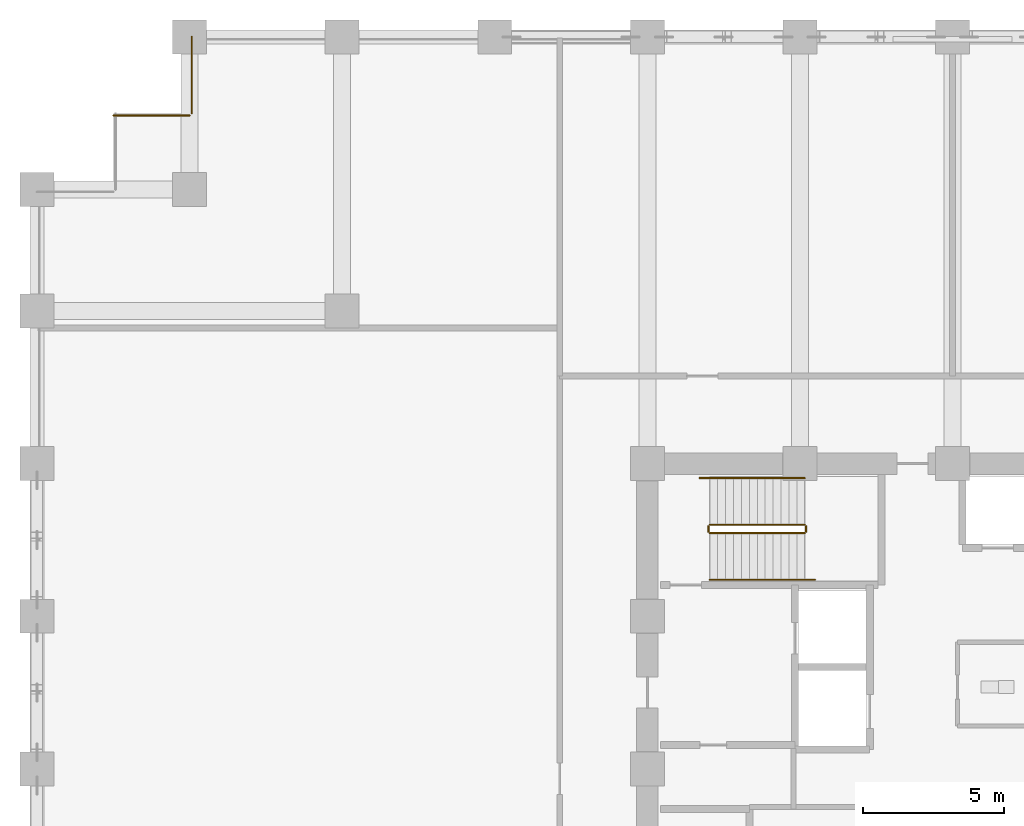
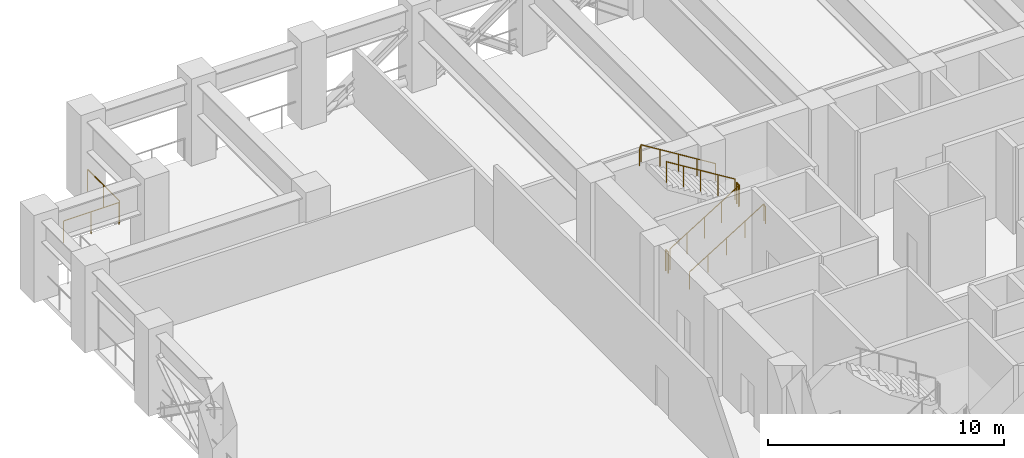
# One storey, part 10 of 12: 8 railings.
"""IFC4 building model written with IfcOpenShell, lengths in metres."""

from ifc_helpers import new_model, si_unit, direction, frame, origin, origin_2d, place, context, subcontext, project, spatial, circle, extrude, material, type_object, element, save


model = new_model("IFC4")

# Units and contexts
model_context = context("Model", 3, precision=1e-05, world=origin(), true_north=direction((0.0, 1.0)))
body_context = subcontext(model_context, "Body", "Model", "MODEL_VIEW")
ifc_project = project(units=[si_unit("LENGTHUNIT", "METRE"), si_unit("AREAUNIT", "SQUARE_METRE"), si_unit("VOLUMEUNIT", "CUBIC_METRE"), si_unit("PLANEANGLEUNIT", "RADIAN"), si_unit("MASSUNIT", "GRAM", prefix="KILO")], contexts=[model_context])

# Site, building, storey
site_placement = place(None, origin())
site = spatial("IfcSite", under=ifc_project, at=site_placement, CompositionType="ELEMENT")
building_placement = place(site_placement, origin())
building = spatial("IfcBuilding", under=site, at=building_placement, Name="Surkhivell Harbour Commons", CompositionType="ELEMENT")
storey_placement = place(building_placement, frame((0.0, 0.0, 78.75)))
storey = spatial("IfcBuildingStorey", under=building, at=storey_placement, Name="L20", CompositionType="ELEMENT", Elevation=78.75)

# Railings
ifc_material_1 = material(Name="Laminated safety glass and stainless steel S355 balustrade", Category="steel")
railing_type_1 = type_object("IfcRailingType", Name="RAL-BAL-1150", PredefinedType="BALUSTRADE", material=ifc_material_1)
railing_1_placement = place(storey_placement, frame((-26.919921875, 25.89990234375, 0.0)))
element("IfcRailing", 1, at=railing_1_placement, inside=storey, type_object=railing_type_1, Name="L20 Perimeter Safety Guard 09", PredefinedType="BALUSTRADE", context=body_context, shape_type="SweptSolid", body=[
    extrude(circle(Radius=0.02392578125, at=origin_2d()), frame((0.0, 0.0, 1.1259765625), z_axis=(0.0, -1.0, 0.0), x_axis=(1.0, 0.0, 0.0)), (0.0, 0.0, 1.0), 2.699951171875),
    extrude(circle(Radius=0.02099609375, at=origin_2d()), origin(), (0.0, 0.0, 1.0), 1.101806640625),
    extrude(circle(Radius=0.02099609375, at=origin_2d()), frame((0.0, -1.35009765625, 0.0)), (0.0, 0.0, 1.0), 1.101806640625),
    extrude(circle(Radius=0.02099609375, at=origin_2d()), frame((0.0, -2.699951171875, 0.0)), (0.0, 0.0, 1.0), 1.101806640625),
])
railing_2_placement = place(storey_placement, frame((-27.0, 23.1201171875, 0.0)))
element("IfcRailing", 2, at=railing_2_placement, inside=storey, type_object=railing_type_1, Name="L20 Perimeter Safety Guard 10", PredefinedType="BALUSTRADE", context=body_context, shape_type="SweptSolid", body=[
    extrude(circle(Radius=0.02392578125, at=origin_2d()), frame((0.0, 0.0, 1.1259765625), z_axis=(-1.0, 0.0, 0.0), x_axis=(0.0, -1.0, 0.0)), (0.0, 0.0, 1.0), 2.699951171875),
    extrude(circle(Radius=0.02099609375, at=origin_2d()), origin(), (0.0, 0.0, 1.0), 1.101806640625),
    extrude(circle(Radius=0.02099609375, at=origin_2d()), frame((-1.35009765625, 0.0, 0.0)), (0.0, 0.0, 1.0), 1.101806640625),
    extrude(circle(Radius=0.02099609375, at=origin_2d()), frame((-2.699951171875, 0.0, 0.0)), (0.0, 0.0, 1.0), 1.101806640625),
])
ifc_material_2 = material(Name="Galvanised and painted steel S355 guard rail", Category="steel")
railing_type_2 = type_object("IfcRailingType", Name="RAL-ST-GRD1100", PredefinedType="GUARDRAIL", material=ifc_material_2)
railing_3_placement = place(storey_placement, frame((-8.590087890625, 8.340087890625, 0.173095703125)))
element("IfcRailing", 3, at=railing_3_placement, inside=storey, type_object=railing_type_2, Name="L20 ST1 stair guard 1", PredefinedType="GUARDRAIL", context=body_context, shape_type="SweptSolid", body=[
    extrude(circle(Radius=0.02392578125, at=origin_2d()), frame((0.0, 0.0, 1.076171875), z_axis=(0.850623216509, 0.0, 0.525775754039), x_axis=(0.0, 1.0, 0.0)), (0.0, 0.0, 1.0), 3.9501953125),
    extrude(circle(Radius=0.02099609375, at=origin_2d()), origin(), (0.0, 0.0, 1.0), 1.052001953125),
    extrude(circle(Radius=0.02099609375, at=origin_2d()), frame((0.840087890625, 0.0, 0.519287109375)), (0.0, 0.0, 1.0), 1.052001953125),
    extrude(circle(Radius=0.02099609375, at=origin_2d()), frame((1.68017578125, 0.0, 1.03857421875)), (0.0, 0.0, 1.0), 1.052001953125),
    extrude(circle(Radius=0.02099609375, at=origin_2d()), frame((2.52001953125, 0.0, 1.5576171875)), (0.0, 0.0, 1.0), 1.052001953125),
    extrude(circle(Radius=0.02099609375, at=origin_2d()), frame((3.360107421875, 0.0, 2.076904296875)), (0.0, 0.0, 1.0), 1.052001953125),
])
railing_4_placement = place(storey_placement, frame((-5.179931640625, 8.389892578125, 2.25)))
element("IfcRailing", 4, at=railing_4_placement, inside=storey, type_object=railing_type_2, Name="L20 ST1 stair guard 2", PredefinedType="GUARDRAIL", context=body_context, shape_type="SweptSolid", body=[
    extrude(circle(Radius=0.02392578125, at=origin_2d()), frame((0.0, 0.0, 1.076171875), z_axis=(0.0, 1.0, 0.0), x_axis=(-1.0, 0.0, 0.0)), (0.0, 0.0, 1.0), 0.2001953125),
    extrude(circle(Radius=0.02099609375, at=origin_2d()), origin(), (0.0, 0.0, 1.0), 1.052001953125),
    extrude(circle(Radius=0.02099609375, at=origin_2d()), frame((0.0, 0.2001953125, 0.0)), (0.0, 0.0, 1.0), 1.052001953125),
])
railing_5_placement = place(storey_placement, frame((-5.22998046875, 8.639892578125, 2.423095703125)))
element("IfcRailing", 5, at=railing_5_placement, inside=storey, type_object=railing_type_2, Name="L20 ST1 stair guard 3", PredefinedType="GUARDRAIL", context=body_context, shape_type="SweptSolid", body=[
    extrude(circle(Radius=0.02392578125, at=origin_2d()), frame((0.0, 0.0, 1.076171875), z_axis=(-0.850623216509, 0.0, 0.525775754039), x_axis=(0.0, -1.0, 0.0)), (0.0, 0.0, 1.0), 3.9501953125),
    extrude(circle(Radius=0.02099609375, at=origin_2d()), origin(), (0.0, 0.0, 1.0), 1.052001953125),
    extrude(circle(Radius=0.02099609375, at=origin_2d()), frame((-0.840087890625, 0.0, 0.519287109375)), (0.0, 0.0, 1.0), 1.052001953125),
    extrude(circle(Radius=0.02099609375, at=origin_2d()), frame((-1.68017578125, 0.0, 1.03857421875)), (0.0, 0.0, 1.0), 1.052001953125),
    extrude(circle(Radius=0.02099609375, at=origin_2d()), frame((-2.52001953125, 0.0, 1.5576171875)), (0.0, 0.0, 1.0), 1.052001953125),
    extrude(circle(Radius=0.02099609375, at=origin_2d()), frame((-3.360107421875, 0.0, 2.076904296875)), (0.0, 0.0, 1.0), 1.052001953125),
])
railing_6_placement = place(storey_placement, frame((-8.639892578125, 8.389892578125, 0.0)))
element("IfcRailing", 6, at=railing_6_placement, inside=storey, type_object=railing_type_2, Name="L20 ST1 stair guard 4", PredefinedType="GUARDRAIL", context=body_context, shape_type="SweptSolid", body=[
    extrude(circle(Radius=0.02392578125, at=origin_2d()), frame((0.0, 0.0, 1.076171875), z_axis=(0.0, 1.0, 0.0), x_axis=(-1.0, 0.0, 0.0)), (0.0, 0.0, 1.0), 0.2001953125),
    extrude(circle(Radius=0.02099609375, at=origin_2d()), origin(), (0.0, 0.0, 1.0), 1.052001953125),
    extrude(circle(Radius=0.02099609375, at=origin_2d()), frame((0.0, 0.2001953125, 0.0)), (0.0, 0.0, 1.0), 1.052001953125),
])
ifc_material_3 = material(Name="Brushed stainless steel S355 handrail", Category="steel")
railing_type_3 = type_object("IfcRailingType", Name="RAL-ST-HND900", PredefinedType="HANDRAIL", material=ifc_material_3)
railing_7_placement = place(storey_placement, frame((-8.590087890625, 6.68994140625, 0.173095703125)))
element("IfcRailing", 7, at=railing_7_placement, inside=storey, type_object=railing_type_3, Name="L20 ST1 stair handrail 1", PredefinedType="HANDRAIL", context=body_context, shape_type="SweptSolid", body=[
    extrude(circle(Radius=0.02392578125, at=origin_2d()), frame((0.0, 0.0, 0.8759765625), z_axis=(0.850622404505, 0.0, 0.525777067734), x_axis=(0.0, 1.0, 0.0)), (0.0, 0.0, 1.0), 4.279296875),
    extrude(circle(Radius=0.02392578125, at=origin_2d()), frame((3.64013671875, 0.0, 3.1259765625), z_axis=(0.418814502111, 0.0, -0.908071810388), x_axis=(0.0, 1.0, 0.0)), (0.0, 0.0, 1.0), 0.190673828125),
    extrude(circle(Radius=0.02099609375, at=origin_2d()), origin(), (0.0, 0.0, 1.0), 0.851806640625),
    extrude(circle(Radius=0.02099609375, at=origin_2d()), frame((0.91015625, 0.0, 0.5625)), (0.0, 0.0, 1.0), 0.851806640625),
    extrude(circle(Radius=0.02099609375, at=origin_2d()), frame((1.820068359375, 0.0, 1.125)), (0.0, 0.0, 1.0), 0.851806640625),
    extrude(circle(Radius=0.02099609375, at=origin_2d()), frame((2.72998046875, 0.0, 1.6875)), (0.0, 0.0, 1.0), 0.851806640625),
    extrude(circle(Radius=0.02099609375, at=origin_2d()), frame((3.64013671875, 0.0, 2.25)), (0.0, 0.0, 1.0), 0.851806640625),
    extrude(circle(Radius=0.02099609375, at=origin_2d()), frame((3.719970703125, 0.0, 2.076904296875)), (0.0, 0.0, 1.0), 0.851806640625),
])
railing_8_placement = place(storey_placement, frame((-5.22998046875, 10.2900390625, 2.423095703125)))
element("IfcRailing", 8, at=railing_8_placement, inside=storey, type_object=railing_type_3, Name="L20 ST1 stair handrail 2", PredefinedType="HANDRAIL", context=body_context, shape_type="SweptSolid", body=[
    extrude(circle(Radius=0.02392578125, at=origin_2d()), frame((0.0, 0.0, 0.8759765625), z_axis=(-0.850622404505, 0.0, 0.525777067734), x_axis=(0.0, -1.0, 0.0)), (0.0, 0.0, 1.0), 4.279296875),
    extrude(circle(Radius=0.02392578125, at=origin_2d()), frame((-3.64013671875, 0.0, 3.1259765625), z_axis=(-0.418814502111, 0.0, -0.908071810388), x_axis=(0.0, -1.0, 0.0)), (0.0, 0.0, 1.0), 0.190673828125),
    extrude(circle(Radius=0.02099609375, at=origin_2d()), origin(), (0.0, 0.0, 1.0), 0.851806640625),
    extrude(circle(Radius=0.02099609375, at=origin_2d()), frame((-0.91015625, 0.0, 0.5625)), (0.0, 0.0, 1.0), 0.851806640625),
    extrude(circle(Radius=0.02099609375, at=origin_2d()), frame((-1.820068359375, 0.0, 1.125)), (0.0, 0.0, 1.0), 0.851806640625),
    extrude(circle(Radius=0.02099609375, at=origin_2d()), frame((-2.72998046875, 0.0, 1.6875)), (0.0, 0.0, 1.0), 0.851806640625),
    extrude(circle(Radius=0.02099609375, at=origin_2d()), frame((-3.64013671875, 0.0, 2.25)), (0.0, 0.0, 1.0), 0.851806640625),
    extrude(circle(Radius=0.02099609375, at=origin_2d()), frame((-3.719970703125, 0.0, 2.076904296875)), (0.0, 0.0, 1.0), 0.851806640625),
])

save(model, "model.ifc")
